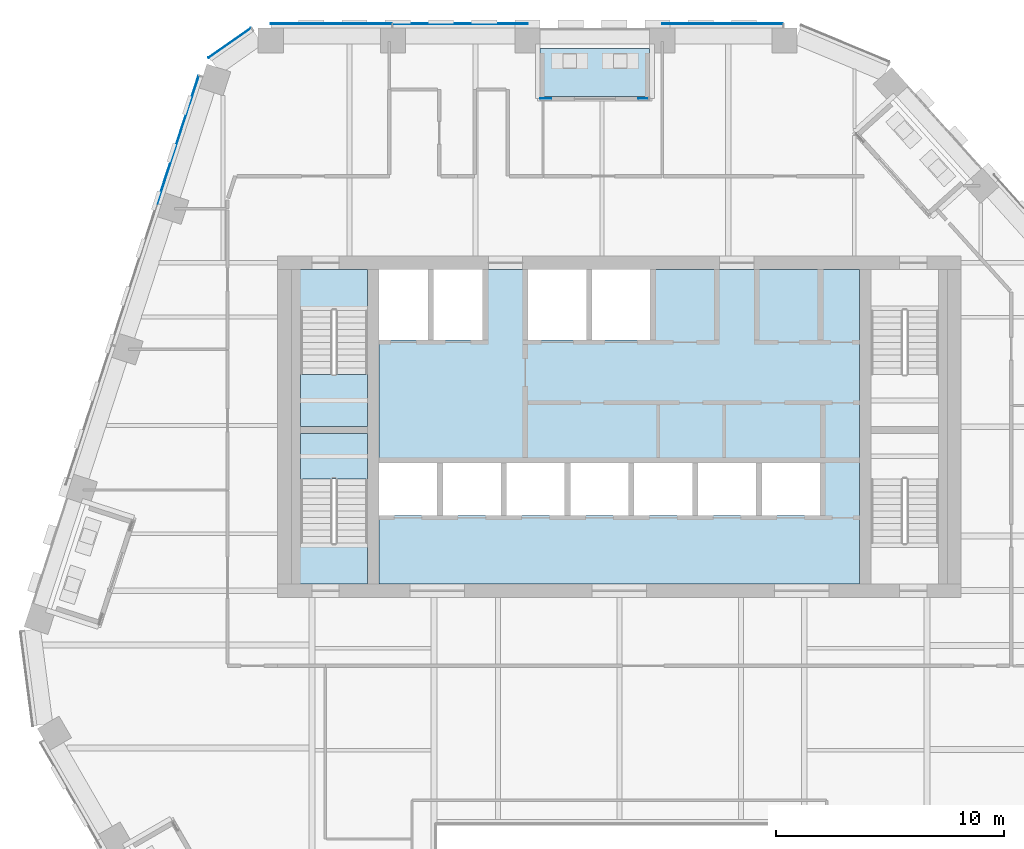
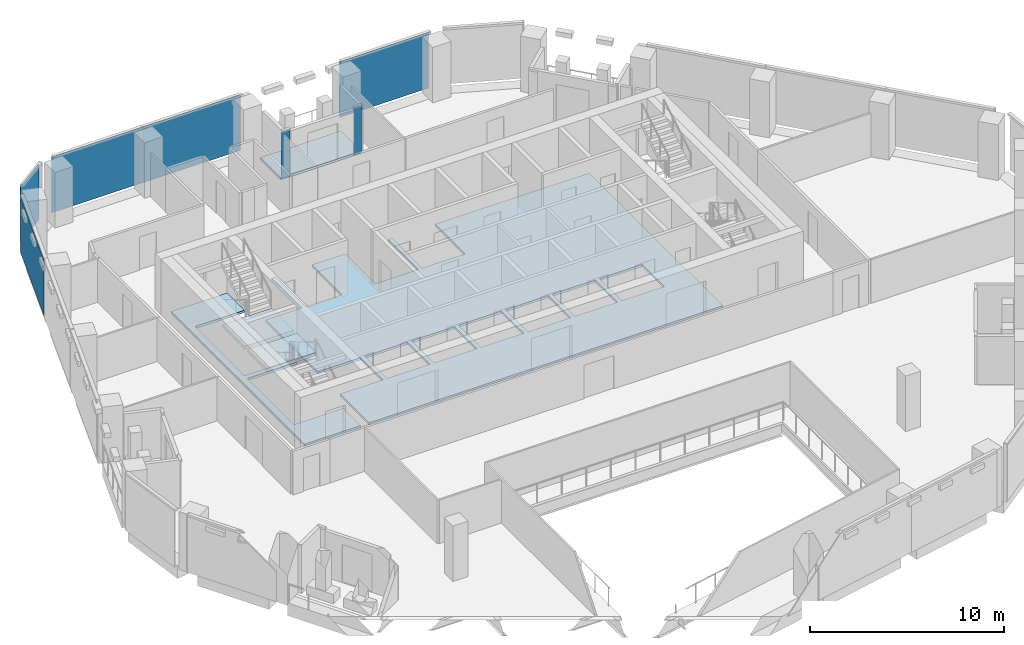
# One storey, part 13 of 24: 7 plates, 5 slabs, 6 elements without a shape of their own.
"""IFC4 building model written with IfcOpenShell, lengths in metres."""

from ifc_helpers import new_model, si_unit, direction, frame, origin, origin_2d, place, context, subcontext, project, spatial, polyline, rectangle, outline, extrude, material, layer, layer_set, type_object, element, aggregate, save


model = new_model("IFC4")

# Units and contexts
model_context = context("Model", 3, precision=1e-05, world=origin(), true_north=direction((0.0, 1.0)))
body_context = subcontext(model_context, "Body", "Model", "MODEL_VIEW")
ifc_project = project(units=[si_unit("LENGTHUNIT", "METRE"), si_unit("AREAUNIT", "SQUARE_METRE"), si_unit("VOLUMEUNIT", "CUBIC_METRE"), si_unit("PLANEANGLEUNIT", "RADIAN"), si_unit("MASSUNIT", "GRAM", prefix="KILO")], contexts=[model_context])

# Site, building, storey
site_placement = place(None, origin())
site = spatial("IfcSite", under=ifc_project, at=site_placement, CompositionType="ELEMENT")
building_placement = place(site_placement, origin())
building = spatial("IfcBuilding", under=site, at=building_placement, Name="Isthmus Gate Tower", CompositionType="ELEMENT")
storey_placement = place(building_placement, frame((0.0, 0.0, 234.550048828125)))
storey = spatial("IfcBuildingStorey", under=building, at=storey_placement, Name="L59", CompositionType="ELEMENT", Elevation=234.550048828125)

# Slabs
ifc_material_1 = material(Name="Concrete f'c 40 MPa", Category="concrete")
ifc_layer_1 = layer(ifc_material_1, 0.14990234375)
ifc_layer_set_1 = layer_set([ifc_layer_1], Name="CORE FLOOR SLAB 150")
slab_type_1 = type_object("IfcSlabType", Name="CORE FLOOR SLAB 150", PredefinedType="FLOOR", material=ifc_layer_set_1)
slab_1_placement = place(storey_placement, frame((0.0, 0.0, -0.150146484375)))
element("IfcSlab", 1, at=slab_1_placement, inside=storey, type_object=slab_type_1, Name="L59 core floor", PredefinedType="FLOOR", context=body_context, shape_type="SweptSolid", body=[
    extrude(outline(polyline([(-11.050048828125, 0.60009765625), (-11.050048828125, 2.402099609375), (-14.0, 2.402099609375), (-14.0, 7.199951171875), (-11.050048828125, 7.199951171875), (-11.050048828125, 7.5), (-14.0, 7.5), (-14.0, 12.597900390625), (-11.050048828125, 12.597900390625), (-11.050048828125, 14.39990234375), (-14.39990234375, 14.39990234375), (-14.39990234375, 0.60009765625), (-11.050048828125, 0.60009765625)])), origin(), (0.0, 0.0, 1.0), 0.150146484375),
])
slab_2_placement = place(storey_placement, frame((0.0, 0.0, -0.150146484375)))
element("IfcSlab", 2, at=slab_2_placement, inside=storey, type_object=slab_type_1, Name="L59 core floor", PredefinedType="FLOOR", context=body_context, shape_type="SweptSolid", body=[
    extrude(outline(polyline([(10.550048828125, 14.39990234375), (1.35009765625, 14.39990234375), (1.35009765625, 11.300048828125), (-1.199951171875, 11.300048828125), (-1.199951171875, 14.39990234375), (-1.449951171875, 14.39990234375), (-1.449951171875, 11.300048828125), (-4.0, 11.300048828125), (-4.0, 14.39990234375), (-6.0, 14.39990234375), (-6.0, 11.300048828125), (-8.14990234375, 11.300048828125), (-8.14990234375, 14.39990234375), (-8.39990234375, 14.39990234375), (-8.39990234375, 11.300048828125), (-10.550048828125, 11.300048828125), (-10.550048828125, 5.89990234375), (-8.0, 5.89990234375), (-8.0, 3.60009765625), (-10.550048828125, 3.60009765625), (-10.550048828125, 0.60009765625), (10.550048828125, 0.60009765625), (10.550048828125, 14.39990234375)]), holes=[polyline([(-5.199951171875, 5.89990234375), (-5.199951171875, 3.60009765625), (-7.75, 3.60009765625), (-7.75, 5.89990234375), (-5.199951171875, 5.89990234375)]), polyline([(-2.39990234375, 5.89990234375), (-2.39990234375, 3.60009765625), (-4.949951171875, 3.60009765625), (-4.949951171875, 5.89990234375), (-2.39990234375, 5.89990234375)]), polyline([(0.39990234375, 5.89990234375), (0.39990234375, 3.60009765625), (-2.14990234375, 3.60009765625), (-2.14990234375, 5.89990234375), (0.39990234375, 5.89990234375)]), polyline([(3.199951171875, 5.89990234375), (3.199951171875, 3.60009765625), (0.64990234375, 3.60009765625), (0.64990234375, 5.89990234375), (3.199951171875, 5.89990234375)]), polyline([(6.0, 5.89990234375), (6.0, 3.60009765625), (3.449951171875, 3.60009765625), (3.449951171875, 5.89990234375), (6.0, 5.89990234375)]), polyline([(8.800048828125, 5.89990234375), (8.800048828125, 3.60009765625), (6.25, 3.60009765625), (6.25, 5.89990234375), (8.800048828125, 5.89990234375)])]), origin(), (0.0, 0.0, 1.0), 0.150146484375),
])

# Curtain wall, plates
ifc_material_2 = material(Name="Aluminium, pale champagne anodised", Category="aluminium")
ifc_layer_2 = layer(ifc_material_2, 0.199951171875)
ifc_layer_set_2 = layer_set([ifc_layer_2], Name="CW-1 UNITISED CURTAIN WALL 200 DEEP")
curtain_wall_type_1 = type_object("IfcCurtainWallType", Name="CW-1 UNITISED CURTAIN WALL 200 DEEP", PredefinedType="NOTDEFINED", material=ifc_layer_set_2)
curtain_wall_1_placement = place(storey_placement, origin())
curtain_wall_1 = element("IfcCurtainWall", 3, at=curtain_wall_1_placement, inside=storey, type_object=curtain_wall_type_1, Name="CW-1 N L59", PredefinedType="NOTDEFINED")
ifc_material_3 = material(Name="Laminated low-iron glass, pale blue tint", Category="glass")
ifc_layer_3 = layer(ifc_material_3, 0.031982421875)
ifc_layer_set_3 = layer_set([ifc_layer_3], Name="CW-1 CLEAR GLASS LITE 32")
plate_type_1 = type_object("IfcPlateType", Name="CW-1 CLEAR GLASS LITE 32", PredefinedType="CURTAIN_PANEL", material=ifc_layer_set_3)
plate_1_placement = place(storey_placement, frame((4.53076171875, 25.18408203125, 0.0), z_axis=(0.0, 0.0, 1.0), x_axis=(-1.0, 0.0, 0.0)))
plate_1 = element("IfcPlate", 4, at=plate_1_placement, type_object=plate_type_1, Name="CW-1 glass lite", PredefinedType="CURTAIN_PANEL", context=body_context, shape_type="SweptSolid", body=[
    extrude(rectangle(XDim=5.300537109375, YDim=0.031982421875, at=origin_2d()), origin(), (0.0, 0.0, 1.0), 3.52001953125),
])
plate_2_placement = place(storey_placement, frame((-6.9853515625, 25.18408203125, 0.0), z_axis=(0.0, 0.0, 1.0), x_axis=(-1.0, 0.0, 0.0)))
plate_2 = element("IfcPlate", 5, at=plate_2_placement, type_object=plate_type_1, Name="CW-1 glass lite", PredefinedType="CURTAIN_PANEL", context=body_context, shape_type="SweptSolid", body=[
    extrude(rectangle(XDim=5.91064453125, YDim=0.031982421875, at=origin_2d()), origin(), (0.0, 0.0, 1.0), 3.52001953125),
])
plate_3_placement = place(storey_placement, frame((-12.65087890625, 25.18408203125, 0.0), z_axis=(0.0, 0.0, 1.0), x_axis=(-1.0, 0.0, 0.0)))
plate_3 = element("IfcPlate", 6, at=plate_3_placement, type_object=plate_type_1, Name="CW-1 glass lite", PredefinedType="CURTAIN_PANEL", context=body_context, shape_type="SweptSolid", body=[
    extrude(rectangle(XDim=5.300537109375, YDim=0.031982421875, at=origin_2d()), origin(), (0.0, 0.0, 1.0), 3.52001953125),
])
aggregate(curtain_wall_1, [plate_1, plate_2, plate_3])

# Curtain wall, plate
curtain_wall_2_placement = place(storey_placement, origin())
curtain_wall_2 = element("IfcCurtainWall", 7, at=curtain_wall_2_placement, inside=storey, type_object=curtain_wall_type_1, Name="CW-1 N-NW L59", PredefinedType="NOTDEFINED")
plate_4_placement = place(storey_placement, frame((-17.1025390625, 24.3447265625, 0.0), z_axis=(0.0, 0.0, 1.0), x_axis=(-0.81785959165, -0.57541783805, 0.0)))
plate_4 = element("IfcPlate", 8, at=plate_4_placement, type_object=plate_type_1, Name="CW-1 glass lite", PredefinedType="CURTAIN_PANEL", context=body_context, shape_type="SweptSolid", body=[
    extrude(rectangle(XDim=2.258544921875, YDim=0.031982421875, at=origin_2d()), origin(), (0.0, 0.0, 1.0), 3.52001953125),
])
aggregate(curtain_wall_2, [plate_4])

curtain_wall_3_placement = place(storey_placement, origin())
curtain_wall_3 = element("IfcCurtainWall", 9, at=curtain_wall_3_placement, inside=storey, type_object=curtain_wall_type_1, Name="CW-1 NW L59", PredefinedType="NOTDEFINED")
plate_5_placement = place(storey_placement, frame((-19.37646484375, 20.0947265625, 0.0), z_axis=(0.0, 0.0, 1.0), x_axis=(-0.309016994375, -0.951056516295, 0.0)))
plate_5 = element("IfcPlate", 10, at=plate_5_placement, type_object=plate_type_1, Name="CW-1 glass lite", PredefinedType="CURTAIN_PANEL", context=body_context, shape_type="SweptSolid", body=[
    extrude(rectangle(XDim=5.8818359375, YDim=0.031982421875, at=origin_2d()), origin(), (0.0, 0.0, 1.0), 3.52001953125),
])
aggregate(curtain_wall_3, [plate_5])

# Curtain wall, plates
ifc_material_4 = material(Name="Aluminium, pale champagne anodised", Category="aluminium")
ifc_layer_4 = layer(ifc_material_4, 0.14990234375)
ifc_layer_set_4 = layer_set([ifc_layer_4], Name="CW-6 LOGGIA BACK WALL GLAZING 150 DEEP")
curtain_wall_type_2 = type_object("IfcCurtainWallType", Name="CW-6 LOGGIA BACK WALL GLAZING 150 DEEP", PredefinedType="NOTDEFINED", material=ifc_layer_set_4)
curtain_wall_4_placement = place(storey_placement, origin())
curtain_wall_4 = element("IfcCurtainWall", 11, at=curtain_wall_4_placement, inside=storey, type_object=curtain_wall_type_2, Name="CW-6 N L59", PredefinedType="NOTDEFINED")
ifc_material_5 = material(Name="Laminated low-iron glass, clear", Category="glass")
ifc_layer_5 = layer(ifc_material_5, 0.031982421875)
ifc_layer_set_5 = layer_set([ifc_layer_5], Name="CW-6 CLEAR GLASS LITE 32")
plate_type_2 = type_object("IfcPlateType", Name="CW-6 CLEAR GLASS LITE 32", PredefinedType="CURTAIN_PANEL", material=ifc_layer_set_5)
plate_6_placement = place(storey_placement, frame((1.050537109375, 21.89990234375, 0.0), z_axis=(0.0, 0.0, 1.0), x_axis=(-1.0, 0.0, 0.0)))
plate_6 = element("IfcPlate", 12, at=plate_6_placement, type_object=plate_type_2, Name="CW-6 glass lite", PredefinedType="CURTAIN_PANEL", context=body_context, shape_type="SweptSolid", body=[
    extrude(rectangle(XDim=0.43994140625, YDim=0.031982421875, at=origin_2d()), origin(), (0.0, 0.0, 1.0), 2.929931640625),
])
plate_7_placement = place(storey_placement, frame((-3.22998046875, 21.89990234375, 0.0), z_axis=(0.0, 0.0, 1.0), x_axis=(-1.0, 0.0, 0.0)))
plate_7 = element("IfcPlate", 13, at=plate_7_placement, type_object=plate_type_2, Name="CW-6 glass lite", PredefinedType="CURTAIN_PANEL", context=body_context, shape_type="SweptSolid", body=[
    extrude(rectangle(XDim=0.5, YDim=0.031982421875, at=origin_2d()), origin(), (0.0, 0.0, 1.0), 2.929931640625),
])
aggregate(curtain_wall_4, [plate_6, plate_7])

# Slab
ifc_material_6 = material(Name="Concrete f'c 50 MPa", Category="concrete")
ifc_layer_6 = layer(ifc_material_6, 0.14990234375)
ifc_layer_set_6 = layer_set([ifc_layer_6], Name="LOGGIA FLOOR SLAB 150")
slab_type_2 = type_object("IfcSlabType", Name="LOGGIA FLOOR SLAB 150", PredefinedType="FLOOR", material=ifc_layer_set_6)
slab_3_placement = place(storey_placement, frame((0.0, 0.0, -0.150146484375)))
element("IfcSlab", 14, at=slab_3_placement, inside=storey, type_object=slab_type_2, Name="LOGGIA FLOOR", PredefinedType="FLOOR", context=body_context, shape_type="SweptSolid", body=[
    extrude(outline(polyline([(1.33056640625, 24.10009765625), (-3.47998046875, 24.10009765625), (-3.47998046875, 22.0), (1.33056640625, 22.0), (1.33056640625, 24.10009765625)])), origin(), (0.0, 0.0, 1.0), 0.150146484375),
])

# Stair, slab
ifc_material_7 = material(Name="Concrete f'c 40 MPa", Category="concrete")
stair_type = type_object("IfcStairType", Name="CORE STAIR 22 RISERS", PredefinedType="HALF_TURN_STAIR", material=ifc_material_7)
stair_1_placement = place(storey_placement, origin())
stair_1 = element("IfcStair", 15, at=stair_1_placement, inside=storey, type_object=stair_type, Name="L59 Exit Stair 1", PredefinedType="HALF_TURN_STAIR")
ifc_material_8 = material(Name="Concrete f'c 40 MPa", Category="concrete")
ifc_layer_7 = layer(ifc_material_8, 0.199951171875)
ifc_layer_set_7 = layer_set([ifc_layer_7])
slab_type_3 = type_object("IfcSlabType", Name="STAIR LANDING RC 200", PredefinedType="LANDING", material=ifc_layer_set_7)
slab_4_placement = place(storey_placement, frame((0.0, 0.0, 1.625)))
slab_4 = element("IfcSlab", 16, at=slab_4_placement, type_object=slab_type_3, Name="ST1 landing 1", PredefinedType="LANDING", context=body_context, shape_type="SweptSolid", body=[
    extrude(outline(polyline([(-14.0, 9.800048828125), (-14.0, 7.5), (-11.050048828125, 7.5), (-11.050048828125, 9.800048828125), (-14.0, 9.800048828125)])), origin(), (0.0, 0.0, 1.0), 0.199951171875),
])
aggregate(stair_1, [slab_4])

stair_2_placement = place(storey_placement, origin())
stair_2 = element("IfcStair", 17, at=stair_2_placement, inside=storey, type_object=stair_type, Name="L59 Exit Stair 7", PredefinedType="HALF_TURN_STAIR")
slab_5_placement = place(storey_placement, frame((0.0, 0.0, 1.625)))
slab_5 = element("IfcSlab", 18, at=slab_5_placement, type_object=slab_type_3, Name="ST7 landing 1", PredefinedType="LANDING", context=body_context, shape_type="SweptSolid", body=[
    extrude(outline(polyline([(-11.050048828125, 5.199951171875), (-11.050048828125, 7.199951171875), (-14.0, 7.199951171875), (-14.0, 5.199951171875), (-11.050048828125, 5.199951171875)])), origin(), (0.0, 0.0, 1.0), 0.199951171875),
])
aggregate(stair_2, [slab_5])

save(model, "model.ifc")
